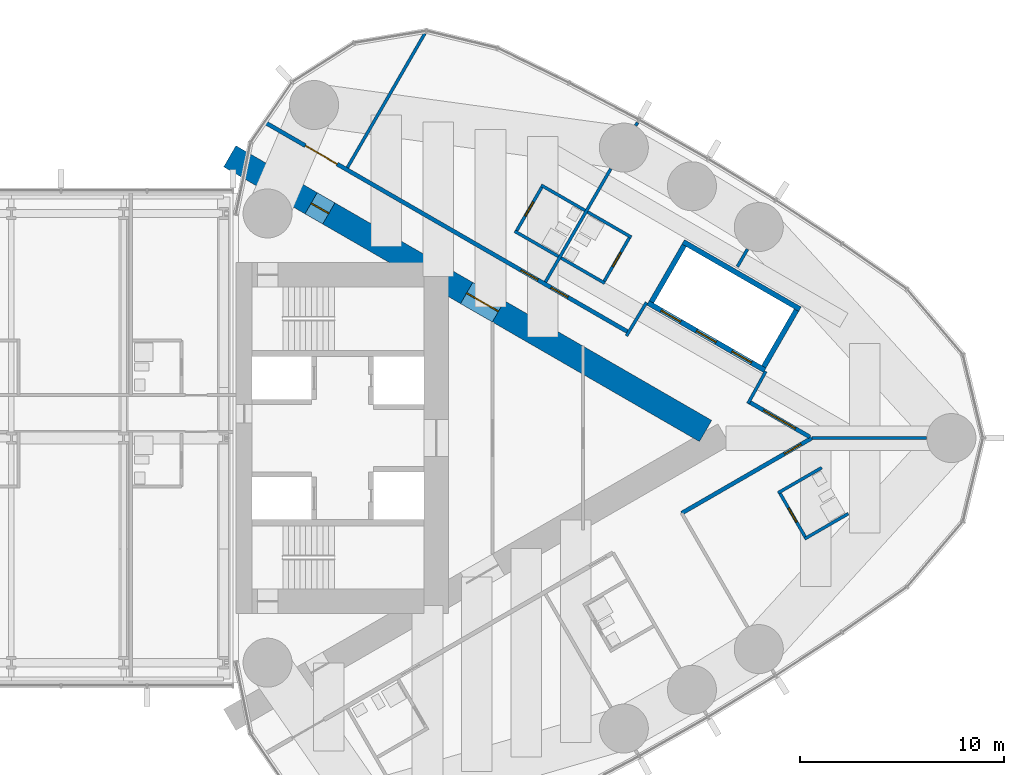
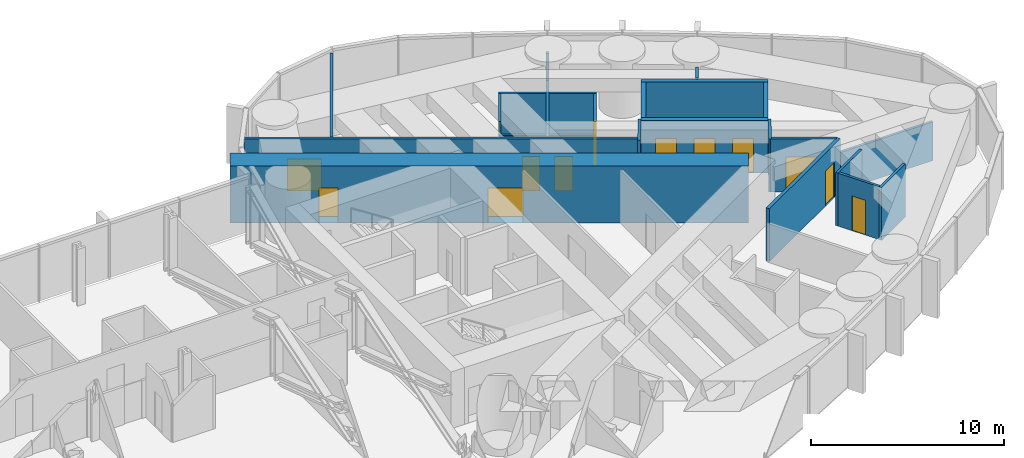
# One storey, part 19 of 22: 24 walls, 13 doors, 13 openings.
"""IFC4 building model written with IfcOpenShell, lengths in metres."""

from ifc_helpers import new_model, si_unit, direction, frame, frame_2d, origin, place, context, subcontext, project, spatial, rectangle, extrude, material, layer, layer_set, type_object, element, fill, save


model = new_model("IFC4")

# Units and contexts
model_context = context("Model", 3, precision=1e-05, world=origin(), true_north=direction((0.0, 1.0)))
body_context = subcontext(model_context, "Body", "Model", "MODEL_VIEW")
ifc_project = project(units=[si_unit("LENGTHUNIT", "METRE"), si_unit("AREAUNIT", "SQUARE_METRE"), si_unit("VOLUMEUNIT", "CUBIC_METRE"), si_unit("PLANEANGLEUNIT", "RADIAN"), si_unit("MASSUNIT", "GRAM", prefix="KILO")], contexts=[model_context])

# Site, building, storey
site_placement = place(None, origin())
site = spatial("IfcSite", under=ifc_project, at=site_placement, CompositionType="ELEMENT")
building_placement = place(site_placement, origin())
building = spatial("IfcBuilding", under=site, at=building_placement, Name="Lancet Gate Hotel", CompositionType="ELEMENT")
storey_placement = place(building_placement, frame((0.0, 0.0, 226.10009765625)))
storey = spatial("IfcBuildingStorey", under=building, at=storey_placement, Name="L60", CompositionType="ELEMENT", Elevation=226.10009765625)

# Wall
ifc_material_1 = material(Name="Moisture resistant board partition")
ifc_layer_1 = layer(ifc_material_1, 0.14990234375)
ifc_layer_set_1 = layer_set([ifc_layer_1], Name="Bathroom wall 150")
wall_type_1 = type_object("IfcWallType", Name="Bathroom wall 150", PredefinedType="PARTITIONING", material=ifc_layer_set_1)
wall_1_placement = place(storey_placement, frame((55.34912109375, -4.938232421875, 0.0), z_axis=(0.0, 0.0, 1.0), x_axis=(0.866006523861, 0.500032699561, 0.0)))
element("IfcWall", 1, at=wall_1_placement, inside=storey, type_object=wall_type_1, Name="T2 bathroom wall 150 L60", PredefinedType="PARTITIONING", context=body_context, shape_type="SweptSolid", body=[
    extrude(rectangle(XDim=2.474853515625, YDim=0.14990234375, at=frame_2d((1.2373046875, 0.0))), origin(), (0.0, 0.0, 1.0), 3.349853515625),
])

# Wall, opening, door
wall_2_placement = place(storey_placement, frame((54.114013671875, -2.64892578125, 0.0), z_axis=(0.0, 0.0, 1.0), x_axis=(0.500006934395, -0.866021400173, 0.0)))
wall_2 = element("IfcWall", 2, at=wall_2_placement, inside=storey, type_object=wall_type_1, Name="T2 bathroom wall 150 L60", PredefinedType="PARTITIONING", context=body_context, shape_type="SweptSolid", body=[
    extrude(rectangle(XDim=2.60009765625, YDim=0.14990234375, at=frame_2d((1.300048828125, 0.0))), origin(), (0.0, 0.0, 1.0), 3.349853515625),
])
opening_1_placement = place(wall_2_placement, frame((0.89990234375, 0.0, 0.0)))
opening_1 = element("IfcOpeningElement", 3, at=opening_1_placement, cuts=wall_2, Name="Opening 6055-B", PredefinedType="OPENING", context=body_context, shape_type="SweptSolid", body=[
    extrude(rectangle(XDim=0.800048828125, YDim=2.199951171875, at=frame_2d((0.39990234375, 1.10009765625))), frame((0.0, 0.0849609375, 0.0), z_axis=(0.0, -1.0, 0.0), x_axis=(1.0, 0.0, 0.0)), (0.0, 0.0, 1.0), 0.169921875),
])
ifc_material_2 = material(Name="Timber door set", Category="wood")
door_type_1 = type_object("IfcDoorType", Name="Bathroom door 800", OperationType="SINGLE_SWING_RIGHT", PredefinedType="DOOR", material=ifc_material_2)
door_1_placement = place(opening_1_placement, origin())
door_1 = element("IfcDoor", 4, at=door_1_placement, inside=storey, type_object=door_type_1, Name="6055-B", OperationType="SINGLE_SWING_RIGHT", OverallHeight=2.199951171875, OverallWidth=0.800048828125, PredefinedType="DOOR", context=body_context, shape_type="SweptSolid", body=[
    extrude(rectangle(XDim=0.800048828125, YDim=2.199951171875, at=frame_2d((0.39990234375, 1.10009765625))), frame((0.0, 0.02490234375, 0.0), z_axis=(0.0, -1.0, 0.0), x_axis=(1.0, 0.0, 0.0)), (0.0, 0.0, 1.0), 0.050048828125),
])
fill(opening_1, door_1)

# Walls
for number, where, z_axis, x_axis, name in (
    (5, (54.049072265625, -2.6865234375, 0.0), (0.0, 0.0, 1.0), (0.866006523861, 0.500032699561, 0.0), "T2 bathroom wall 150 L60"),
    (6, (44.724609375, 11.072265625, 0.0), (0.0, 0.0, 1.0), (0.866006523861, -0.500032699561, 0.0), "T2 bathroom wall 150 L60"),
):
    element("IfcWall", number, at=place(storey_placement, frame(where, z_axis=z_axis, x_axis=x_axis)), inside=storey, type_object=wall_type_1, Name=name, PredefinedType="PARTITIONING", context=body_context, shape_type="SweptSolid", body=[
        extrude(rectangle(XDim=2.474853515625, YDim=0.14990234375, at=frame_2d((1.2373046875, 0.0))), origin(), (0.0, 0.0, 1.0), 3.349853515625),
    ])

# Wall, opening, door
wall_3_placement = place(storey_placement, frame((45.5029296875, 7.62060546875, 0.0), z_axis=(0.0, 0.0, 1.0), x_axis=(0.500006934395, 0.866021400173, 0.0)))
wall_3 = element("IfcWall", 7, at=wall_3_placement, inside=storey, type_object=wall_type_1, Name="T2 bathroom wall 150 L60", PredefinedType="PARTITIONING", context=body_context, shape_type="SweptSolid", body=[
    extrude(rectangle(XDim=2.60009765625, YDim=0.14990234375, at=frame_2d((1.300048828125, 0.0))), origin(), (0.0, 0.0, 1.0), 3.349853515625),
])
opening_2_placement = place(wall_3_placement, frame((0.89990234375, 0.0, 0.0)))
opening_2 = element("IfcOpeningElement", 8, at=opening_2_placement, cuts=wall_3, Name="Opening 6058-B", PredefinedType="OPENING", context=body_context, shape_type="SweptSolid", body=[
    extrude(rectangle(XDim=0.800048828125, YDim=2.199951171875, at=frame_2d((0.39990234375, 1.10009765625))), frame((0.0, 0.0849609375, 0.0), z_axis=(0.0, -1.0, 0.0), x_axis=(1.0, 0.0, 0.0)), (0.0, 0.0, 1.0), 0.169921875),
])
door_2_placement = place(opening_2_placement, origin())
door_2 = element("IfcDoor", 9, at=door_2_placement, inside=storey, type_object=door_type_1, Name="6058-B", OperationType="SINGLE_SWING_RIGHT", OverallHeight=2.199951171875, OverallWidth=0.800048828125, PredefinedType="DOOR", context=body_context, shape_type="SweptSolid", body=[
    extrude(rectangle(XDim=0.800048828125, YDim=2.199951171875, at=frame_2d((0.39990234375, 1.10009765625))), frame((0.0, 0.02490234375, 0.0), z_axis=(0.0, -1.0, 0.0), x_axis=(1.0, 0.0, 0.0)), (0.0, 0.0, 1.0), 0.050048828125),
])
fill(opening_2, door_2)

# Walls
wall_4_placement = place(storey_placement, frame((43.424560546875, 8.820556640625, 0.0), z_axis=(0.0, 0.0, 1.0), x_axis=(0.866006523861, -0.500032699561, 0.0)))
element("IfcWall", 10, at=wall_4_placement, inside=storey, type_object=wall_type_1, Name="T2 bathroom wall 150 L60", PredefinedType="PARTITIONING", context=body_context, shape_type="SweptSolid", body=[
    extrude(rectangle(XDim=2.474853515625, YDim=0.14990234375, at=frame_2d((1.2373046875, 0.0))), origin(), (0.0, 0.0, 1.0), 2.5),
])
wall_5_placement = place(storey_placement, frame((42.451171875, 12.384765625, 0.0), z_axis=(0.0, 0.0, 1.0), x_axis=(0.866031185235, -0.4999899861, 0.0)))
element("IfcWall", 11, at=wall_5_placement, inside=storey, type_object=wall_type_1, Name="T2 bathroom wall 150 L60", PredefinedType="PARTITIONING", context=body_context, shape_type="SweptSolid", body=[
    extrude(rectangle(XDim=2.47509765625, YDim=0.14990234375, at=frame_2d((1.237548828125, 0.0))), origin(), (0.0, 0.0, 1.0), 3.349853515625),
])

# Wall, opening, door
wall_6_placement = place(storey_placement, frame((41.21630859375, 10.095458984375, 0.0), z_axis=(0.0, 0.0, 1.0), x_axis=(0.499936506574, 0.866062058628, 0.0)))
wall_6 = element("IfcWall", 12, at=wall_6_placement, inside=storey, type_object=wall_type_1, Name="T2 bathroom wall 150 L60", PredefinedType="PARTITIONING", context=body_context, shape_type="SweptSolid", body=[
    extrude(rectangle(XDim=2.599853515625, YDim=0.14990234375, at=frame_2d((1.2998046875, 0.0))), origin(), (0.0, 0.0, 1.0), 3.349853515625),
])
opening_3_placement = place(wall_6_placement, frame((0.89990234375, 0.0, 0.0)))
opening_3 = element("IfcOpeningElement", 13, at=opening_3_placement, cuts=wall_6, Name="Opening 6059-B", PredefinedType="OPENING", context=body_context, shape_type="SweptSolid", body=[
    extrude(rectangle(XDim=0.800048828125, YDim=2.199951171875, at=frame_2d((0.39990234375, 1.10009765625))), frame((0.0, 0.0849609375, 0.0), z_axis=(0.0, -1.0, 0.0), x_axis=(1.0, 0.0, 0.0)), (0.0, 0.0, 1.0), 0.169921875),
])
door_3_placement = place(opening_3_placement, origin())
door_3 = element("IfcDoor", 14, at=door_3_placement, inside=storey, type_object=door_type_1, Name="6059-B", OperationType="SINGLE_SWING_RIGHT", OverallHeight=2.199951171875, OverallWidth=0.800048828125, PredefinedType="DOOR", context=body_context, shape_type="SweptSolid", body=[
    extrude(rectangle(XDim=0.800048828125, YDim=2.199951171875, at=frame_2d((0.39990234375, 1.10009765625))), frame((0.0, 0.02490234375, 0.0), z_axis=(0.0, -1.0, 0.0), x_axis=(1.0, 0.0, 0.0)), (0.0, 0.0, 1.0), 0.050048828125),
])
fill(opening_3, door_3)

# Wall
wall_7_placement = place(storey_placement, frame((41.1513671875, 10.133056640625, 0.0), z_axis=(0.0, 0.0, 1.0), x_axis=(0.866006523861, -0.500032699561, 0.0)))
element("IfcWall", 15, at=wall_7_placement, inside=storey, type_object=wall_type_1, Name="T2 bathroom wall 150 L60", PredefinedType="PARTITIONING", context=body_context, shape_type="SweptSolid", body=[
    extrude(rectangle(XDim=2.474853515625, YDim=0.14990234375, at=frame_2d((1.2373046875, 0.0))), origin(), (0.0, 0.0, 1.0), 2.5),
])

# Wall, openings, doors
ifc_material_3 = material(Name="Concrete C70/85", Category="concrete")
ifc_layer_2 = layer(ifc_material_3, 1.199951171875)
ifc_layer_set_2 = layer_set([ifc_layer_2], Name="Buttress wall 1200")
wall_type_2 = type_object("IfcWallType", Name="Buttress wall 1200", PredefinedType="SHEAR", material=ifc_layer_set_2)
wall_8_placement = place(storey_placement, frame((27.199951171875, 13.800048828125, 0.0), z_axis=(0.0, 0.0, 1.0), x_axis=(0.866024515034, -0.500001539357, 0.0)))
wall_8 = element("IfcWall", 16, at=wall_8_placement, inside=storey, type_object=wall_type_2, Name="T2 buttress wall N L60", PredefinedType="SHEAR", context=body_context, shape_type="SweptSolid", body=[
    extrude(rectangle(XDim=26.9072265625, YDim=1.199951171875, at=frame_2d((13.45361328125, 0.0))), origin(), (0.0, 0.0, 1.0), 3.599853515625),
])
opening_4_placement = place(wall_8_placement, frame((4.60009765625, 0.0, 0.0)))
opening_4 = element("IfcOpeningElement", 17, at=opening_4_placement, cuts=wall_8, Name="Opening T2-L60-LN", PredefinedType="OPENING", context=body_context, shape_type="SweptSolid", body=[
    extrude(rectangle(XDim=1.0, YDim=2.199951171875, at=frame_2d((0.5, 1.10009765625))), frame((0.0, 0.60986328125, 0.0), z_axis=(0.0, -1.0, 0.0), x_axis=(1.0, 0.0, 0.0)), (0.0, 0.0, 1.0), 1.219970703125),
])
opening_5_placement = place(wall_8_placement, frame((13.39453125, 0.0, 0.0)))
opening_5 = element("IfcOpeningElement", 18, at=opening_5_placement, cuts=wall_8, Name="Opening T2-L60-LHN", PredefinedType="OPENING", context=body_context, shape_type="SweptSolid", body=[
    extrude(rectangle(XDim=1.800048828125, YDim=2.199951171875, at=frame_2d((0.89990234375, 1.10009765625))), frame((0.0, 0.60986328125, 0.0), z_axis=(0.0, -1.0, 0.0), x_axis=(1.0, 0.0, 0.0)), (0.0, 0.0, 1.0), 1.219970703125),
])
ifc_material_4 = material(Name="Timber door set", Category="wood")
door_type_2 = type_object("IfcDoorType", Name="Lobby double door 1800", OperationType="DOUBLE_DOOR_SINGLE_SWING", PredefinedType="DOOR", material=ifc_material_4)
door_4_placement = place(opening_5_placement, origin())
door_4 = element("IfcDoor", 19, at=door_4_placement, inside=storey, type_object=door_type_2, Name="T2-L60-LHN", OperationType="DOUBLE_DOOR_SINGLE_SWING", OverallHeight=2.199951171875, OverallWidth=1.800048828125, PredefinedType="DOOR", context=body_context, shape_type="SweptSolid", body=[
    extrude(rectangle(XDim=1.800048828125, YDim=2.199951171875, at=frame_2d((0.89990234375, 1.10009765625))), frame((0.0, 0.02490234375, 0.0), z_axis=(0.0, -1.0, 0.0), x_axis=(1.0, 0.0, 0.0)), (0.0, 0.0, 1.0), 0.050048828125),
])
fill(opening_5, door_4)
ifc_material_5 = material(Name="Timber door set", Category="wood")
door_type_3 = type_object("IfcDoorType", Name="Stair lobby door 1000", OperationType="SINGLE_SWING_LEFT", PredefinedType="DOOR", material=ifc_material_5)
door_5_placement = place(opening_4_placement, origin())
door_5 = element("IfcDoor", 20, at=door_5_placement, inside=storey, type_object=door_type_3, Name="T2-L60-LN", OperationType="SINGLE_SWING_LEFT", OverallHeight=2.199951171875, OverallWidth=1.0, PredefinedType="DOOR", context=body_context, shape_type="SweptSolid", body=[
    extrude(rectangle(XDim=1.0, YDim=2.199951171875, at=frame_2d((0.5, 1.10009765625))), frame((0.0, 0.02490234375, 0.0), z_axis=(0.0, -1.0, 0.0), x_axis=(1.0, 0.0, 0.0)), (0.0, 0.0, 1.0), 0.050048828125),
])
fill(opening_4, door_5)

ifc_material_6 = material(Name="Gypsum board partition")
ifc_layer_3 = layer(ifc_material_6, 0.199951171875)
ifc_layer_set_3 = layer_set([ifc_layer_3], Name="Corridor wall 200")
wall_type_3 = type_object("IfcWallType", Name="Corridor wall 200", PredefinedType="PARTITIONING", material=ifc_layer_set_3)
wall_9_placement = place(storey_placement, frame((28.958984375, 15.440185546875, 0.0), z_axis=(0.0, 0.0, 1.0), x_axis=(0.866028936079, -0.499993881836, 0.0)))
wall_9 = element("IfcWall", 21, at=wall_9_placement, inside=storey, type_object=wall_type_3, Name="T2 corridor wall 200 L60", PredefinedType="PARTITIONING", context=body_context, shape_type="SweptSolid", body=[
    extrude(rectangle(XDim=20.503173828125, YDim=0.199951171875, at=frame_2d((10.25146484375, 0.0))), origin(), (0.0, 0.0, 1.0), 3.349853515625),
])
opening_6_placement = place(wall_9_placement, frame((16.13720703125, 0.0, 0.0)))
opening_6 = element("IfcOpeningElement", 22, at=opening_6_placement, cuts=wall_9, Name="Opening 6058-E", PredefinedType="OPENING", context=body_context, shape_type="SweptSolid", body=[
    extrude(rectangle(XDim=0.949951171875, YDim=2.199951171875, at=frame_2d((0.47509765625, 1.10009765625))), frame((0.0, 0.10986328125, 0.0), z_axis=(0.0, -1.0, 0.0), x_axis=(1.0, 0.0, 0.0)), (0.0, 0.0, 1.0), 0.219970703125),
])
opening_7_placement = place(wall_9_placement, frame((14.437255859375, 0.0, 0.0)))
opening_7 = element("IfcOpeningElement", 23, at=opening_7_placement, cuts=wall_9, Name="Opening 6059-E", PredefinedType="OPENING", context=body_context, shape_type="SweptSolid", body=[
    extrude(rectangle(XDim=0.949951171875, YDim=2.199951171875, at=frame_2d((0.47509765625, 1.10009765625))), frame((0.0, 0.10986328125, 0.0), z_axis=(0.0, -1.0, 0.0), x_axis=(1.0, 0.0, 0.0)), (0.0, 0.0, 1.0), 0.219970703125),
])
opening_8_placement = place(wall_9_placement, frame((2.243896484375, 0.0, 0.0)))
opening_8 = element("IfcOpeningElement", 24, at=opening_8_placement, cuts=wall_9, Name="Opening 6060-E", PredefinedType="OPENING", context=body_context, shape_type="SweptSolid", body=[
    extrude(rectangle(XDim=1.800048828125, YDim=2.0400390625, at=frame_2d((0.89990234375, 1.02001953125))), frame((0.0, 0.10986328125, 0.0), z_axis=(0.0, -1.0, 0.0), x_axis=(1.0, 0.0, 0.0)), (0.0, 0.0, 1.0), 0.219970703125),
])
ifc_material_7 = material(Name="Timber door set", Category="wood")
door_type_4 = type_object("IfcDoorType", Name="Double door 1800, 2040 high", OperationType="DOUBLE_DOOR_SINGLE_SWING", PredefinedType="DOOR", material=ifc_material_7)
door_6_placement = place(opening_8_placement, origin())
door_6 = element("IfcDoor", 25, at=door_6_placement, inside=storey, type_object=door_type_4, Name="6060-E", OperationType="DOUBLE_DOOR_SINGLE_SWING", OverallHeight=2.0400390625, OverallWidth=1.800048828125, PredefinedType="DOOR", context=body_context, shape_type="SweptSolid", body=[
    extrude(rectangle(XDim=1.800048828125, YDim=2.0400390625, at=frame_2d((0.89990234375, 1.02001953125))), frame((0.0, 0.02490234375, 0.0), z_axis=(0.0, -1.0, 0.0), x_axis=(1.0, 0.0, 0.0)), (0.0, 0.0, 1.0), 0.050048828125),
])
fill(opening_8, door_6)
ifc_material_8 = material(Name="Timber door set", Category="wood")
door_type_5 = type_object("IfcDoorType", Name="Guest room entry door 950", OperationType="SINGLE_SWING_LEFT", PredefinedType="DOOR", material=ifc_material_8)
door_7_placement = place(opening_6_placement, origin())
door_7 = element("IfcDoor", 26, at=door_7_placement, inside=storey, type_object=door_type_5, Name="6058-E", OperationType="SINGLE_SWING_LEFT", OverallHeight=2.199951171875, OverallWidth=0.949951171875, PredefinedType="DOOR", context=body_context, shape_type="SweptSolid", body=[
    extrude(rectangle(XDim=0.949951171875, YDim=2.199951171875, at=frame_2d((0.47509765625, 1.10009765625))), frame((0.0, 0.02490234375, 0.0), z_axis=(0.0, -1.0, 0.0), x_axis=(1.0, 0.0, 0.0)), (0.0, 0.0, 1.0), 0.050048828125),
])
fill(opening_6, door_7)
door_8_placement = place(opening_7_placement, origin())
door_8 = element("IfcDoor", 27, at=door_8_placement, inside=storey, type_object=door_type_5, Name="6059-E", OperationType="SINGLE_SWING_LEFT", OverallHeight=2.199951171875, OverallWidth=0.949951171875, PredefinedType="DOOR", context=body_context, shape_type="SweptSolid", body=[
    extrude(rectangle(XDim=0.949951171875, YDim=2.199951171875, at=frame_2d((0.47509765625, 1.10009765625))), frame((0.0, 0.02490234375, 0.0), z_axis=(0.0, -1.0, 0.0), x_axis=(1.0, 0.0, 0.0)), (0.0, 0.0, 1.0), 0.050048828125),
])
fill(opening_7, door_8)

# Wall, opening, door
wall_10_placement = place(storey_placement, frame((52.63916015625, 1.7685546875, 0.0), z_axis=(0.0, 0.0, 1.0), x_axis=(0.866027340901, -0.4999966448, 0.0)))
wall_10 = element("IfcWall", 28, at=wall_10_placement, inside=storey, type_object=wall_type_3, Name="T2 corridor wall 200 L60", PredefinedType="PARTITIONING", context=body_context, shape_type="SweptSolid", body=[
    extrude(rectangle(XDim=3.4169921875, YDim=0.199951171875, at=frame_2d((1.70849609375, 0.0))), origin(), (0.0, 0.0, 1.0), 3.349853515625),
])
opening_9_placement = place(wall_10_placement, frame((0.80859375, 0.0, 0.0)))
opening_9 = element("IfcOpeningElement", 29, at=opening_9_placement, cuts=wall_10, Name="Opening T2-L60-LO1", PredefinedType="OPENING", context=body_context, shape_type="SweptSolid", body=[
    extrude(rectangle(XDim=1.800048828125, YDim=2.199951171875, at=frame_2d((0.89990234375, 1.10009765625))), frame((0.0, 0.10986328125, 0.0), z_axis=(0.0, -1.0, 0.0), x_axis=(1.0, 0.0, 0.0)), (0.0, 0.0, 1.0), 0.219970703125),
])
ifc_material_9 = material(Name="Timber door set", Category="wood")
door_type_6 = type_object("IfcDoorType", Name="Double door 1800", OperationType="DOUBLE_DOOR_SINGLE_SWING", PredefinedType="DOOR", material=ifc_material_9)
door_9_placement = place(opening_9_placement, origin())
door_9 = element("IfcDoor", 30, at=door_9_placement, inside=storey, type_object=door_type_6, Name="T2-L60-LO1", OperationType="DOUBLE_DOOR_SINGLE_SWING", OverallHeight=2.199951171875, OverallWidth=1.800048828125, PredefinedType="DOOR", context=body_context, shape_type="SweptSolid", body=[
    extrude(rectangle(XDim=1.800048828125, YDim=2.199951171875, at=frame_2d((0.89990234375, 1.10009765625))), frame((0.0, 0.02490234375, 0.0), z_axis=(0.0, -1.0, 0.0), x_axis=(1.0, 0.0, 0.0)), (0.0, 0.0, 1.0), 0.050048828125),
])
fill(opening_9, door_9)

wall_11_placement = place(storey_placement, frame((49.335205078125, -3.676025390625, 0.0), z_axis=(0.0, 0.0, 1.0), x_axis=(0.866021344046, 0.500007031608, 0.0)))
wall_11 = element("IfcWall", 31, at=wall_11_placement, inside=storey, type_object=wall_type_3, Name="T2 corridor wall 200 L60", PredefinedType="PARTITIONING", context=body_context, shape_type="SweptSolid", body=[
    extrude(rectangle(XDim=7.35205078125, YDim=0.199951171875, at=frame_2d((3.676025390625, 0.0))), origin(), (0.0, 0.0, 1.0), 3.349853515625),
])
opening_10_placement = place(wall_11_placement, frame((5.802001953125, 0.0, 0.0)))
opening_10 = element("IfcOpeningElement", 32, at=opening_10_placement, cuts=wall_11, Name="Opening 6055-E", PredefinedType="OPENING", context=body_context, shape_type="SweptSolid", body=[
    extrude(rectangle(XDim=0.949951171875, YDim=2.199951171875, at=frame_2d((0.47509765625, 1.10009765625))), frame((0.0, 0.10986328125, 0.0), z_axis=(0.0, -1.0, 0.0), x_axis=(1.0, 0.0, 0.0)), (0.0, 0.0, 1.0), 0.219970703125),
])
door_10_placement = place(opening_10_placement, origin())
door_10 = element("IfcDoor", 33, at=door_10_placement, inside=storey, type_object=door_type_5, Name="6055-E", OperationType="SINGLE_SWING_LEFT", OverallHeight=2.199951171875, OverallWidth=0.949951171875, PredefinedType="DOOR", context=body_context, shape_type="SweptSolid", body=[
    extrude(rectangle(XDim=0.949951171875, YDim=2.199951171875, at=frame_2d((0.47509765625, 1.10009765625))), frame((0.0, 0.02490234375, 0.0), z_axis=(0.0, -1.0, 0.0), x_axis=(1.0, 0.0, 0.0)), (0.0, 0.0, 1.0), 0.050048828125),
])
fill(opening_10, door_10)

# Wall, openings, doors
ifc_material_10 = material(Name="Gypsum board partition")
ifc_layer_4 = layer(ifc_material_10, 0.25)
ifc_layer_set_4 = layer_set([ifc_layer_4], Name="Lift shaft partition 250")
wall_type_4 = type_object("IfcWallType", Name="Lift shaft partition 250", PredefinedType="PARTITIONING", material=ifc_layer_set_4)
wall_12_placement = place(storey_placement, frame((47.681396484375, 6.622314453125, 0.0), z_axis=(0.0, 0.0, 1.0), x_axis=(0.86603344179, -0.499986077507, 0.0)))
wall_12 = element("IfcWall", 34, at=wall_12_placement, inside=storey, type_object=wall_type_4, Name="T2 lift shaft wall HL L60", PredefinedType="PARTITIONING", context=body_context, shape_type="SweptSolid", body=[
    extrude(rectangle(XDim=6.600341796875, YDim=0.25, at=frame_2d((3.30029296875, 0.0))), origin(), (0.0, 0.0, 1.0), 3.349853515625),
])
opening_11_placement = place(wall_12_placement, frame((0.75, 0.0, 0.0)))
opening_11 = element("IfcOpeningElement", 35, at=opening_11_placement, cuts=wall_12, Name="Opening T2-HL1-L60", PredefinedType="OPENING", context=body_context, shape_type="SweptSolid", body=[
    extrude(rectangle(XDim=1.10009765625, YDim=2.199951171875, at=frame_2d((0.550048828125, 1.10009765625))), frame((0.0, 0.135009765625, 0.0), z_axis=(0.0, -1.0, 0.0), x_axis=(1.0, 0.0, 0.0)), (0.0, 0.0, 1.0), 0.27001953125),
])
opening_12_placement = place(wall_12_placement, frame((2.75, 0.0, 0.0)))
opening_12 = element("IfcOpeningElement", 36, at=opening_12_placement, cuts=wall_12, Name="Opening T2-HL2-L60", PredefinedType="OPENING", context=body_context, shape_type="SweptSolid", body=[
    extrude(rectangle(XDim=1.10009765625, YDim=2.199951171875, at=frame_2d((0.550048828125, 1.10009765625))), frame((0.0, 0.135009765625, 0.0), z_axis=(0.0, -1.0, 0.0), x_axis=(1.0, 0.0, 0.0)), (0.0, 0.0, 1.0), 0.27001953125),
])
opening_13_placement = place(wall_12_placement, frame((4.75, 0.0, 0.0)))
opening_13 = element("IfcOpeningElement", 37, at=opening_13_placement, cuts=wall_12, Name="Opening T2-HL3-L60", PredefinedType="OPENING", context=body_context, shape_type="SweptSolid", body=[
    extrude(rectangle(XDim=1.10009765625, YDim=2.199951171875, at=frame_2d((0.550048828125, 1.10009765625))), frame((0.0, 0.135009765625, 0.0), z_axis=(0.0, -1.0, 0.0), x_axis=(1.0, 0.0, 0.0)), (0.0, 0.0, 1.0), 0.27001953125),
])
ifc_material_11 = material(Name="Steel door set", Category="steel")
door_type_7 = type_object("IfcDoorType", Name="Lift landing door 1100", OperationType="DOUBLE_DOOR_SLIDING", PredefinedType="USERDEFINED", material=ifc_material_11)
door_11_placement = place(opening_11_placement, origin())
door_11 = element("IfcDoor", 38, at=door_11_placement, inside=storey, type_object=door_type_7, Name="T2-HL1-L60", ObjectType="LIFT LANDING DOOR", OperationType="DOUBLE_DOOR_SLIDING", OverallHeight=2.199951171875, OverallWidth=1.10009765625, PredefinedType="USERDEFINED", context=body_context, shape_type="SweptSolid", body=[
    extrude(rectangle(XDim=1.10009765625, YDim=2.199951171875, at=frame_2d((0.550048828125, 1.10009765625))), frame((0.0, 0.02490234375, 0.0), z_axis=(0.0, -1.0, 0.0), x_axis=(1.0, 0.0, 0.0)), (0.0, 0.0, 1.0), 0.050048828125),
])
fill(opening_11, door_11)
door_12_placement = place(opening_12_placement, origin())
door_12 = element("IfcDoor", 39, at=door_12_placement, inside=storey, type_object=door_type_7, Name="T2-HL2-L60", ObjectType="LIFT LANDING DOOR", OperationType="DOUBLE_DOOR_SLIDING", OverallHeight=2.199951171875, OverallWidth=1.10009765625, PredefinedType="USERDEFINED", context=body_context, shape_type="SweptSolid", body=[
    extrude(rectangle(XDim=1.10009765625, YDim=2.199951171875, at=frame_2d((0.550048828125, 1.10009765625))), frame((0.0, 0.02490234375, 0.0), z_axis=(0.0, -1.0, 0.0), x_axis=(1.0, 0.0, 0.0)), (0.0, 0.0, 1.0), 0.050048828125),
])
fill(opening_12, door_12)
door_13_placement = place(opening_13_placement, origin())
door_13 = element("IfcDoor", 40, at=door_13_placement, inside=storey, type_object=door_type_7, Name="T2-HL3-L60", ObjectType="LIFT LANDING DOOR", OperationType="DOUBLE_DOOR_SLIDING", OverallHeight=2.199951171875, OverallWidth=1.10009765625, PredefinedType="USERDEFINED", context=body_context, shape_type="SweptSolid", body=[
    extrude(rectangle(XDim=1.10009765625, YDim=2.199951171875, at=frame_2d((0.550048828125, 1.10009765625))), frame((0.0, 0.02490234375, 0.0), z_axis=(0.0, -1.0, 0.0), x_axis=(1.0, 0.0, 0.0)), (0.0, 0.0, 1.0), 0.050048828125),
])
fill(opening_13, door_13)

# Walls
wall_13_placement = place(storey_placement, frame((49.406494140625, 9.61083984375, 0.0), z_axis=(0.0, 0.0, 1.0), x_axis=(0.86603344179, -0.499986077507, 0.0)))
element("IfcWall", 41, at=wall_13_placement, inside=storey, type_object=wall_type_4, Name="T2 lift shaft wall HL L60", PredefinedType="PARTITIONING", context=body_context, shape_type="SweptSolid", body=[
    extrude(rectangle(XDim=6.600341796875, YDim=0.25, at=frame_2d((3.30029296875, 0.0))), origin(), (0.0, 0.0, 1.0), 3.349853515625),
])
wall_14_placement = place(storey_placement, frame((47.852294921875, 6.66796875, 0.0), z_axis=(0.0, 0.0, 1.0), x_axis=(0.499929347863, 0.866066190972, 0.0)))
element("IfcWall", 42, at=wall_14_placement, inside=storey, type_object=wall_type_4, Name="T2 lift shaft wall HL L60", PredefinedType="PARTITIONING", context=body_context, shape_type="SweptSolid", body=[
    extrude(rectangle(XDim=3.20068359375, YDim=0.25, at=frame_2d((1.600341796875, 0.0))), origin(), (0.0, 0.0, 1.0), 3.349853515625),
])
wall_15_placement = place(storey_placement, frame((53.351806640625, 3.492919921875, 0.0), z_axis=(0.0, 0.0, 1.0), x_axis=(0.499872130319, 0.866099216793, 0.0)))
element("IfcWall", 43, at=wall_15_placement, inside=storey, type_object=wall_type_4, Name="T2 lift shaft wall HL L60", PredefinedType="PARTITIONING", context=body_context, shape_type="SweptSolid", body=[
    extrude(rectangle(XDim=3.200439453125, YDim=0.25, at=frame_2d((1.60009765625, 0.0))), origin(), (0.0, 0.0, 1.0), 3.349853515625),
])
ifc_material_12 = material(Name="Gypsum board partition")
ifc_layer_5 = layer(ifc_material_12, 0.14990234375)
ifc_layer_set_5 = layer_set([ifc_layer_5], Name="Party wall 150")
wall_type_5 = type_object("IfcWallType", Name="Party wall 150", PredefinedType="PARTITIONING", material=ifc_layer_set_5)
wall_16_placement = place(storey_placement, frame((32.9599609375, 13.24560546875, 0.0), z_axis=(0.0, 0.0, 1.0), x_axis=(0.500000236886, 0.866025267018, 0.0)))
element("IfcWall", 44, at=wall_16_placement, inside=storey, type_object=wall_type_5, Name="T2 party wall 150 L60", PredefinedType="PARTITIONING", context=body_context, shape_type="SweptSolid", body=[
    extrude(rectangle(XDim=7.58251953125, YDim=0.14990234375, at=frame_2d((3.791259765625, 0.0))), origin(), (0.0, 0.0, 1.0), 3.349853515625),
])
wall_17_placement = place(storey_placement, frame((42.65966796875, 7.6455078125, 0.0), z_axis=(0.0, 0.0, 1.0), x_axis=(0.499996592859, 0.866027370889, 0.0)))
element("IfcWall", 45, at=wall_17_placement, inside=storey, type_object=wall_type_5, Name="T2 party wall 150 L60", PredefinedType="PARTITIONING", context=body_context, shape_type="SweptSolid", body=[
    extrude(rectangle(XDim=6.3984375, YDim=0.14990234375, at=frame_2d((3.19921875, 0.0))), origin(), (0.0, 0.0, 1.0), 2.449951171875),
])
wall_18_placement = place(storey_placement, frame((47.078857421875, 15.2998046875, 0.0), z_axis=(0.0, 0.0, 1.0), x_axis=(0.499212083968, 0.866479829667, 0.0)))
element("IfcWall", 46, at=wall_18_placement, inside=storey, type_object=wall_type_5, Name="T2 party wall 150 L60", PredefinedType="PARTITIONING", context=body_context, shape_type="SweptSolid", body=[
    extrude(rectangle(XDim=0.179443359375, YDim=0.14990234375, at=frame_2d((0.08984375, 0.0))), origin(), (0.0, 0.0, 1.0), 2.449951171875),
])
wall_19_placement = place(storey_placement, frame((55.7021484375, 0.0, 0.0), z_axis=(0.0, 0.0, 1.0), x_axis=(1.0, 0.0, 0.0)))
element("IfcWall", 47, at=wall_19_placement, inside=storey, type_object=wall_type_5, Name="T2 party wall 150 L60", PredefinedType="PARTITIONING", context=body_context, shape_type="SweptSolid", body=[
    extrude(rectangle(XDim=5.619384765625, YDim=0.14990234375, at=frame_2d((2.8095703125, 0.0))), origin(), (0.0, 0.0, 1.0), 2.449951171875),
])
wall_20_placement = place(storey_placement, frame((52.060302734375, 8.396240234375, 0.0), z_axis=(0.0, 0.0, 1.0), x_axis=(0.500095379624, 0.865970329329, 0.0)))
element("IfcWall", 48, at=wall_20_placement, inside=storey, type_object=wall_type_5, Name="T2 party wall 150 L60", PredefinedType="PARTITIONING", context=body_context, shape_type="SweptSolid", body=[
    extrude(rectangle(XDim=0.982177734375, YDim=0.14990234375, at=frame_2d((0.4912109375, 0.0))), origin(), (0.0, 0.0, 1.0), 3.349853515625),
])
ifc_material_13 = material(Name="Gypsum board partition")
ifc_layer_6 = layer(ifc_material_13, 0.14990234375)
ifc_layer_set_6 = layer_set([ifc_layer_6], Name="Service room wall 150")
wall_type_6 = type_object("IfcWallType", Name="Service room wall 150", PredefinedType="PARTITIONING", material=ifc_layer_set_6)
wall_21_placement = place(storey_placement, frame((47.6064453125, 6.642333984375, 0.0), z_axis=(0.0, 0.0, 1.0), x_axis=(-0.51353662755, -0.858067673418, 0.0)))
element("IfcWall", 49, at=wall_21_placement, inside=storey, type_object=wall_type_6, Name="T2 service room wall 150 L60", PredefinedType="PARTITIONING", context=body_context, shape_type="SweptSolid", body=[
    extrude(rectangle(XDim=1.90966796875, YDim=0.14990234375, at=frame_2d((0.954833984375, 0.0))), origin(), (0.0, 0.0, 1.0), 3.349853515625),
])
wall_22_placement = place(storey_placement, frame((52.576171875, 1.689453125, 0.0), z_axis=(0.0, 0.0, 1.0), x_axis=(0.485424724123, 0.874278466629, 0.0)))
element("IfcWall", 50, at=wall_22_placement, inside=storey, type_object=wall_type_6, Name="T2 service room wall 150 L60", PredefinedType="PARTITIONING", context=body_context, shape_type="SweptSolid", body=[
    extrude(rectangle(XDim=1.80517578125, YDim=0.14990234375, at=frame_2d((0.902587890625, 0.0))), origin(), (0.0, 0.0, 1.0), 3.349853515625),
])

save(model, "model.ifc")
